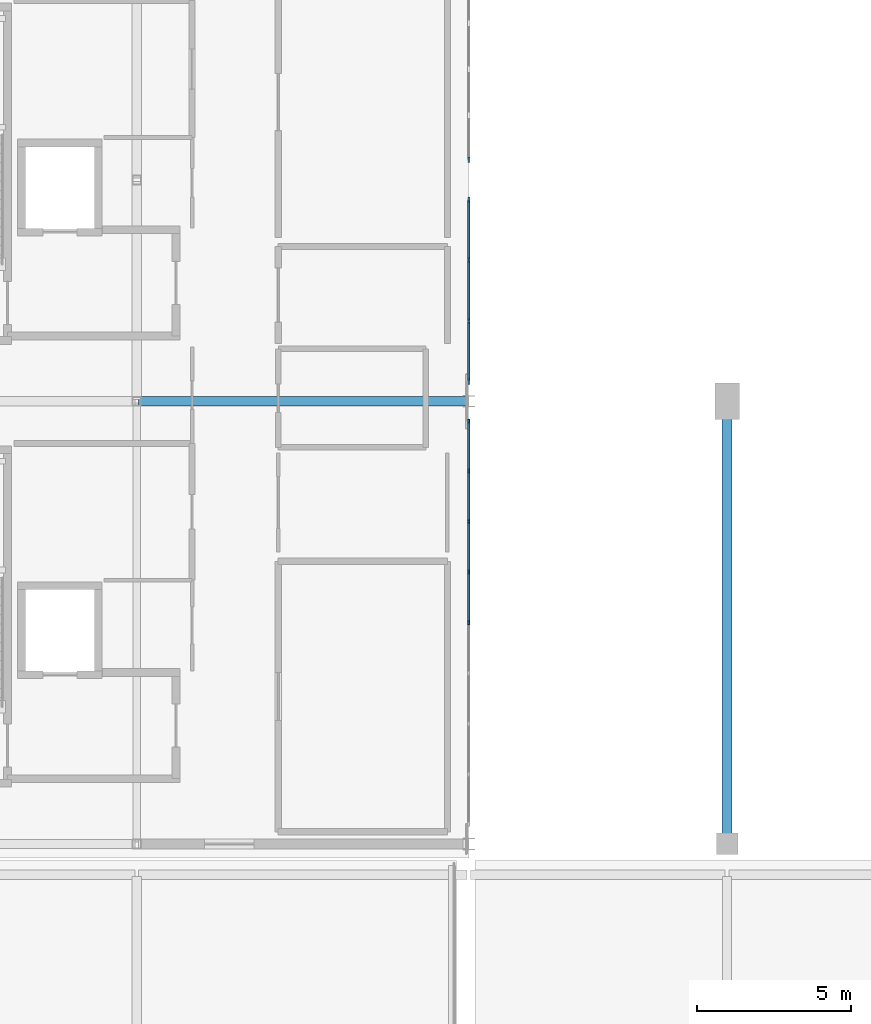
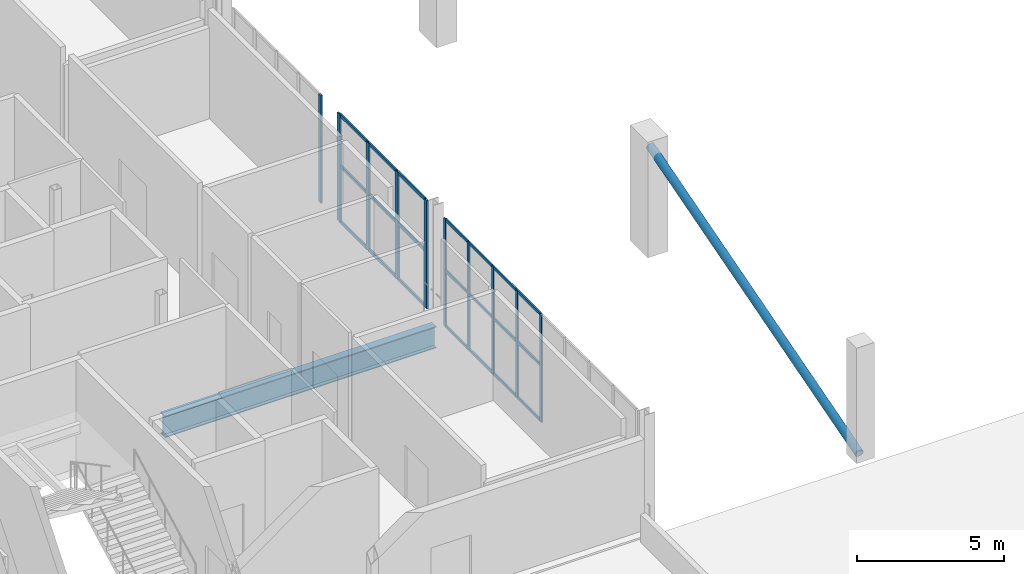
# One storey, part 9 of 51: 32 members, 1 beam, 3 elements without a shape of their own.
"""IFC4 building model written with IfcOpenShell, lengths in metres."""

from ifc_helpers import new_model, si_unit, direction, frame, origin, origin_2d, place, context, subcontext, project, spatial, rectangle, hollow_circle, i_section, extrude, material, material_profile, profile_set, type_object, element, aggregate, save


model = new_model("IFC4")

# Units and contexts
model_context = context("Model", 3, precision=1e-05, world=origin(), true_north=direction((0.0, 1.0)))
body_context = subcontext(model_context, "Body", "Model", "MODEL_VIEW")
ifc_project = project(units=[si_unit("LENGTHUNIT", "METRE"), si_unit("AREAUNIT", "SQUARE_METRE"), si_unit("VOLUMEUNIT", "CUBIC_METRE"), si_unit("PLANEANGLEUNIT", "RADIAN"), si_unit("MASSUNIT", "GRAM", prefix="KILO")], contexts=[model_context])

# Site, building, storey
site_placement = place(None, origin())
site = spatial("IfcSite", under=ifc_project, at=site_placement, CompositionType="ELEMENT")
building_placement = place(site_placement, origin())
building = spatial("IfcBuilding", under=site, at=building_placement, Name="Koshinbarg Plaza Stadium", CompositionType="ELEMENT")
storey_placement = place(building_placement, frame((0.0, 0.0, 24.60009765625)))
storey = spatial("IfcBuildingStorey", under=building, at=storey_placement, Name="L05", CompositionType="ELEMENT", Elevation=24.60009765625)

# Beam
ifc_material_1 = material(Name="Steel S355", Category="steel")
ifc_material_profile_1 = material_profile(ifc_material_1, i_section(OverallWidth=0.300048828125, OverallDepth=0.89990234375, WebThickness=0.0185546875, FlangeThickness=0.034912109375, at=origin_2d()), Name="HEB 900")
ifc_profile_set_1 = profile_set([ifc_material_profile_1], Name="Steel S355")
beam_type = type_object("IfcBeamType", Name="BM-SGIR-05", PredefinedType="USERDEFINED", material=ifc_profile_set_1)
beam_placement = place(storey_placement, frame((35.4599609375, 39.89990234375, -0.75), z_axis=(1.0, 0.0, 0.0), x_axis=(0.0, 1.0, 0.0)))
element("IfcBeam", 1, at=beam_placement, inside=storey, type_object=beam_type, Name="L05 X girder F/6-7", ObjectType="GIRDER", PredefinedType="USERDEFINED", context=body_context, shape_type="SweptSolid", body=[
    extrude(i_section(OverallWidth=0.300048828125, OverallDepth=0.89990234375, WebThickness=0.0185546875, FlangeThickness=0.034912109375, at=origin_2d()), origin(), (0.0, 0.0, 1.0), 10.679931640625),
])

# Curtain wall, members
ifc_material_2 = material(Name="Thermally broken anodised aluminium and low-E double glazing", Category="aluminium")
curtain_wall_type_1 = type_object("IfcCurtainWallType", Name="CW-SYS-13", PredefinedType="NOTDEFINED", material=ifc_material_2)
curtain_wall_1_placement = place(storey_placement, origin())
curtain_wall_1 = element("IfcCurtainWall", 2, at=curtain_wall_1_placement, inside=storey, type_object=curtain_wall_type_1, Name="L05 unitised curtain wall CW-L05-140", PredefinedType="NOTDEFINED")
ifc_material_3 = material(Name="Anodised aluminium mullion", Category="aluminium")
ifc_material_profile_2 = material_profile(ifc_material_3, rectangle(XDim=0.06005859375, YDim=0.139892578125, at=origin_2d()), Name="ALU 60x140")
ifc_profile_set_2 = profile_set([ifc_material_profile_2], Name="Anodised aluminium mullion")
member_type_1 = type_object("IfcMemberType", Name="CW-MUL-01", PredefinedType="MULLION", material=ifc_profile_set_2)
member_1_placement = place(storey_placement, frame((46.199951171875, 39.25, 0.0), z_axis=(0.0, 0.0, 1.0), x_axis=(1.0, 0.0, 0.0)))
member_1 = element("IfcMember", 3, at=member_1_placement, type_object=member_type_1, Name="CW13 mullion 1", PredefinedType="MULLION", context=body_context, shape_type="SweptSolid", body=[
    extrude(rectangle(XDim=0.06005859375, YDim=0.139892578125, at=origin_2d()), origin(), (0.0, 0.0, 1.0), 4.47998046875),
])
member_2_placement = place(storey_placement, frame((46.199951171875, 37.635009765625, 0.0), z_axis=(0.0, 0.0, 1.0), x_axis=(1.0, 0.0, 0.0)))
member_2 = element("IfcMember", 4, at=member_2_placement, type_object=member_type_1, Name="CW13 mullion 2", PredefinedType="MULLION", context=body_context, shape_type="SweptSolid", body=[
    extrude(rectangle(XDim=0.06005859375, YDim=0.139892578125, at=origin_2d()), origin(), (0.0, 0.0, 1.0), 4.47998046875),
])
member_3_placement = place(storey_placement, frame((46.199951171875, 35.989990234375, 0.0), z_axis=(0.0, 0.0, 1.0), x_axis=(1.0, 0.0, 0.0)))
member_3 = element("IfcMember", 5, at=member_3_placement, type_object=member_type_1, Name="CW13 mullion 3", PredefinedType="MULLION", context=body_context, shape_type="SweptSolid", body=[
    extrude(rectangle(XDim=0.06005859375, YDim=0.139892578125, at=origin_2d()), origin(), (0.0, 0.0, 1.0), 4.47998046875),
])
member_4_placement = place(storey_placement, frame((46.199951171875, 34.344970703125, 0.0), z_axis=(0.0, 0.0, 1.0), x_axis=(1.0, 0.0, 0.0)))
member_4 = element("IfcMember", 6, at=member_4_placement, type_object=member_type_1, Name="CW13 mullion 4", PredefinedType="MULLION", context=body_context, shape_type="SweptSolid", body=[
    extrude(rectangle(XDim=0.06005859375, YDim=0.139892578125, at=origin_2d()), origin(), (0.0, 0.0, 1.0), 4.47998046875),
])
member_5_placement = place(storey_placement, frame((46.199951171875, 32.699951171875, 0.0), z_axis=(0.0, 0.0, 1.0), x_axis=(1.0, 0.0, 0.0)))
member_5 = element("IfcMember", 7, at=member_5_placement, type_object=member_type_1, Name="CW13 mullion 5", PredefinedType="MULLION", context=body_context, shape_type="SweptSolid", body=[
    extrude(rectangle(XDim=0.06005859375, YDim=0.139892578125, at=origin_2d()), origin(), (0.0, 0.0, 1.0), 4.47998046875),
])

# Curtain wall, member
curtain_wall_type_2 = type_object("IfcCurtainWallType", Name="CW-SYS-11", PredefinedType="NOTDEFINED", material=ifc_material_2)
curtain_wall_2_placement = place(storey_placement, origin())
curtain_wall_2 = element("IfcCurtainWall", 8, at=curtain_wall_2_placement, inside=storey, type_object=curtain_wall_type_2, Name="L05 unitised curtain wall CW-L05-138", PredefinedType="NOTDEFINED")
ifc_material_profile_3 = material_profile(ifc_material_3, rectangle(XDim=0.070068359375, YDim=0.179931640625, at=origin_2d()), Name="ALU 70x180")
ifc_profile_set_3 = profile_set([ifc_material_profile_3], Name="Anodised aluminium mullion")
member_type_2 = type_object("IfcMemberType", Name="CW-MUL-03", PredefinedType="MULLION", material=ifc_profile_set_3)
member_6_placement = place(storey_placement, frame((46.199951171875, 47.75, 0.0), z_axis=(0.0, 0.0, 1.0), x_axis=(1.0, 0.0, 0.0)))
member_6 = element("IfcMember", 9, at=member_6_placement, type_object=member_type_2, Name="CW11 mullion 5", PredefinedType="MULLION", context=body_context, shape_type="SweptSolid", body=[
    extrude(rectangle(XDim=0.070068359375, YDim=0.179931640625, at=origin_2d()), origin(), (0.0, 0.0, 1.0), 4.47998046875),
])
aggregate(curtain_wall_2, [member_6])

# Curtain wall, members
curtain_wall_type_3 = type_object("IfcCurtainWallType", Name="CW-SYS-12", PredefinedType="NOTDEFINED", material=ifc_material_2)
curtain_wall_3_placement = place(storey_placement, origin())
curtain_wall_3 = element("IfcCurtainWall", 10, at=curtain_wall_3_placement, inside=storey, type_object=curtain_wall_type_3, Name="L05 unitised curtain wall CW-L05-139", PredefinedType="NOTDEFINED")
ifc_material_profile_4 = material_profile(ifc_material_3, rectangle(XDim=0.070068359375, YDim=0.199951171875, at=origin_2d()), Name="ALU 70x200")
ifc_profile_set_4 = profile_set([ifc_material_profile_4], Name="Anodised aluminium mullion")
member_type_3 = type_object("IfcMemberType", Name="CW-MUL-04", PredefinedType="MULLION", material=ifc_profile_set_4)
member_7_placement = place(storey_placement, frame((46.199951171875, 46.449951171875, 0.0), z_axis=(0.0, 0.0, 1.0), x_axis=(1.0, 0.0, 0.0)))
member_7 = element("IfcMember", 11, at=member_7_placement, type_object=member_type_3, Name="CW12 mullion 1", PredefinedType="MULLION", context=body_context, shape_type="SweptSolid", body=[
    extrude(rectangle(XDim=0.070068359375, YDim=0.199951171875, at=origin_2d()), origin(), (0.0, 0.0, 1.0), 4.47998046875),
])
member_8_placement = place(storey_placement, frame((46.199951171875, 44.493408203125, 0.0), z_axis=(0.0, 0.0, 1.0), x_axis=(1.0, 0.0, 0.0)))
member_8 = element("IfcMember", 12, at=member_8_placement, type_object=member_type_3, Name="CW12 mullion 2", PredefinedType="MULLION", context=body_context, shape_type="SweptSolid", body=[
    extrude(rectangle(XDim=0.070068359375, YDim=0.199951171875, at=origin_2d()), origin(), (0.0, 0.0, 1.0), 4.47998046875),
])
member_9_placement = place(storey_placement, frame((46.199951171875, 42.506591796875, 0.0), z_axis=(0.0, 0.0, 1.0), x_axis=(1.0, 0.0, 0.0)))
member_9 = element("IfcMember", 13, at=member_9_placement, type_object=member_type_3, Name="CW12 mullion 3", PredefinedType="MULLION", context=body_context, shape_type="SweptSolid", body=[
    extrude(rectangle(XDim=0.070068359375, YDim=0.199951171875, at=origin_2d()), origin(), (0.0, 0.0, 1.0), 4.47998046875),
])
member_10_placement = place(storey_placement, frame((46.199951171875, 40.550048828125, 0.0), z_axis=(0.0, 0.0, 1.0), x_axis=(1.0, 0.0, 0.0)))
member_10 = element("IfcMember", 14, at=member_10_placement, type_object=member_type_3, Name="CW12 mullion 4", PredefinedType="MULLION", context=body_context, shape_type="SweptSolid", body=[
    extrude(rectangle(XDim=0.070068359375, YDim=0.199951171875, at=origin_2d()), origin(), (0.0, 0.0, 1.0), 4.47998046875),
])

# Member
ifc_material_4 = material(Name="Anodised aluminium transom", Category="aluminium")
ifc_material_profile_5 = material_profile(ifc_material_4, rectangle(XDim=0.06005859375, YDim=0.110107421875, at=origin_2d()), Name="ALU 60x110")
ifc_profile_set_5 = profile_set([ifc_material_profile_5], Name="Anodised aluminium transom")
member_type_4 = type_object("IfcMemberType", Name="CW-TRN-01", PredefinedType="USERDEFINED", material=ifc_profile_set_5)
member_11_placement = place(storey_placement, frame((46.199951171875, 39.219970703125, 0.02978515625), z_axis=(0.0, -1.0, 0.0), x_axis=(1.0, 0.0, 0.0)))
member_11 = element("IfcMember", 15, at=member_11_placement, type_object=member_type_4, Name="CW13 transom 1.1", ObjectType="TRANSOM", PredefinedType="USERDEFINED", context=body_context, shape_type="SweptSolid", body=[
    extrude(rectangle(XDim=0.06005859375, YDim=0.110107421875, at=origin_2d()), origin(), (0.0, 0.0, 1.0), 1.554931640625),
])

member_12_placement = place(storey_placement, frame((46.199951171875, 39.219970703125, 2.32958984375), z_axis=(0.0, -1.0, 0.0), x_axis=(1.0, 0.0, 0.0)))
member_12 = element("IfcMember", 16, at=member_12_placement, type_object=member_type_4, Name="CW13 transom 1.2", ObjectType="TRANSOM", PredefinedType="USERDEFINED", context=body_context, shape_type="SweptSolid", body=[
    extrude(rectangle(XDim=0.06005859375, YDim=0.110107421875, at=origin_2d()), origin(), (0.0, 0.0, 1.0), 1.554931640625),
])

member_13_placement = place(storey_placement, frame((46.199951171875, 39.219970703125, 4.449951171875), z_axis=(0.0, -1.0, 0.0), x_axis=(1.0, 0.0, 0.0)))
member_13 = element("IfcMember", 17, at=member_13_placement, type_object=member_type_4, Name="CW13 transom 1.3", ObjectType="TRANSOM", PredefinedType="USERDEFINED", context=body_context, shape_type="SweptSolid", body=[
    extrude(rectangle(XDim=0.06005859375, YDim=0.110107421875, at=origin_2d()), origin(), (0.0, 0.0, 1.0), 1.554931640625),
])

member_14_placement = place(storey_placement, frame((46.199951171875, 37.60498046875, 0.02978515625), z_axis=(0.0, -1.0, 0.0), x_axis=(1.0, 0.0, 0.0)))
member_14 = element("IfcMember", 18, at=member_14_placement, type_object=member_type_4, Name="CW13 transom 2.1", ObjectType="TRANSOM", PredefinedType="USERDEFINED", context=body_context, shape_type="SweptSolid", body=[
    extrude(rectangle(XDim=0.06005859375, YDim=0.110107421875, at=origin_2d()), origin(), (0.0, 0.0, 1.0), 1.5849609375),
])

member_15_placement = place(storey_placement, frame((46.199951171875, 37.60498046875, 2.32958984375), z_axis=(0.0, -1.0, 0.0), x_axis=(1.0, 0.0, 0.0)))
member_15 = element("IfcMember", 19, at=member_15_placement, type_object=member_type_4, Name="CW13 transom 2.2", ObjectType="TRANSOM", PredefinedType="USERDEFINED", context=body_context, shape_type="SweptSolid", body=[
    extrude(rectangle(XDim=0.06005859375, YDim=0.110107421875, at=origin_2d()), origin(), (0.0, 0.0, 1.0), 1.5849609375),
])

member_16_placement = place(storey_placement, frame((46.199951171875, 37.60498046875, 4.449951171875), z_axis=(0.0, -1.0, 0.0), x_axis=(1.0, 0.0, 0.0)))
member_16 = element("IfcMember", 20, at=member_16_placement, type_object=member_type_4, Name="CW13 transom 2.3", ObjectType="TRANSOM", PredefinedType="USERDEFINED", context=body_context, shape_type="SweptSolid", body=[
    extrude(rectangle(XDim=0.06005859375, YDim=0.110107421875, at=origin_2d()), origin(), (0.0, 0.0, 1.0), 1.5849609375),
])

member_17_placement = place(storey_placement, frame((46.199951171875, 35.9599609375, 0.02978515625), z_axis=(0.0, -1.0, 0.0), x_axis=(1.0, 0.0, 0.0)))
member_17 = element("IfcMember", 21, at=member_17_placement, type_object=member_type_4, Name="CW13 transom 3.1", ObjectType="TRANSOM", PredefinedType="USERDEFINED", context=body_context, shape_type="SweptSolid", body=[
    extrude(rectangle(XDim=0.06005859375, YDim=0.110107421875, at=origin_2d()), origin(), (0.0, 0.0, 1.0), 1.5849609375),
])

member_18_placement = place(storey_placement, frame((46.199951171875, 35.9599609375, 2.32958984375), z_axis=(0.0, -1.0, 0.0), x_axis=(1.0, 0.0, 0.0)))
member_18 = element("IfcMember", 22, at=member_18_placement, type_object=member_type_4, Name="CW13 transom 3.2", ObjectType="TRANSOM", PredefinedType="USERDEFINED", context=body_context, shape_type="SweptSolid", body=[
    extrude(rectangle(XDim=0.06005859375, YDim=0.110107421875, at=origin_2d()), origin(), (0.0, 0.0, 1.0), 1.5849609375),
])

member_19_placement = place(storey_placement, frame((46.199951171875, 35.9599609375, 4.449951171875), z_axis=(0.0, -1.0, 0.0), x_axis=(1.0, 0.0, 0.0)))
member_19 = element("IfcMember", 23, at=member_19_placement, type_object=member_type_4, Name="CW13 transom 3.3", ObjectType="TRANSOM", PredefinedType="USERDEFINED", context=body_context, shape_type="SweptSolid", body=[
    extrude(rectangle(XDim=0.06005859375, YDim=0.110107421875, at=origin_2d()), origin(), (0.0, 0.0, 1.0), 1.5849609375),
])

member_20_placement = place(storey_placement, frame((46.199951171875, 34.31494140625, 0.02978515625), z_axis=(0.0, -1.0, 0.0), x_axis=(1.0, 0.0, 0.0)))
member_20 = element("IfcMember", 24, at=member_20_placement, type_object=member_type_4, Name="CW13 transom 4.1", ObjectType="TRANSOM", PredefinedType="USERDEFINED", context=body_context, shape_type="SweptSolid", body=[
    extrude(rectangle(XDim=0.06005859375, YDim=0.110107421875, at=origin_2d()), origin(), (0.0, 0.0, 1.0), 1.5849609375),
])

member_21_placement = place(storey_placement, frame((46.199951171875, 34.31494140625, 2.32958984375), z_axis=(0.0, -1.0, 0.0), x_axis=(1.0, 0.0, 0.0)))
member_21 = element("IfcMember", 25, at=member_21_placement, type_object=member_type_4, Name="CW13 transom 4.2", ObjectType="TRANSOM", PredefinedType="USERDEFINED", context=body_context, shape_type="SweptSolid", body=[
    extrude(rectangle(XDim=0.06005859375, YDim=0.110107421875, at=origin_2d()), origin(), (0.0, 0.0, 1.0), 1.5849609375),
])

member_22_placement = place(storey_placement, frame((46.199951171875, 34.31494140625, 4.449951171875), z_axis=(0.0, -1.0, 0.0), x_axis=(1.0, 0.0, 0.0)))
member_22 = element("IfcMember", 26, at=member_22_placement, type_object=member_type_4, Name="CW13 transom 4.3", ObjectType="TRANSOM", PredefinedType="USERDEFINED", context=body_context, shape_type="SweptSolid", body=[
    extrude(rectangle(XDim=0.06005859375, YDim=0.110107421875, at=origin_2d()), origin(), (0.0, 0.0, 1.0), 1.5849609375),
])

aggregate(curtain_wall_1, [member_1, member_2, member_3, member_4, member_5, member_11, member_12, member_13, member_14, member_15, member_16, member_17, member_18, member_19, member_20, member_21, member_22])

ifc_material_profile_6 = material_profile(ifc_material_4, rectangle(XDim=0.06005859375, YDim=0.1298828125, at=origin_2d()), Name="ALU 60x130")
ifc_profile_set_6 = profile_set([ifc_material_profile_6], Name="Anodised aluminium transom")
member_type_5 = type_object("IfcMemberType", Name="CW-TRN-02", PredefinedType="USERDEFINED", material=ifc_profile_set_6)
member_23_placement = place(storey_placement, frame((46.199951171875, 46.419921875, 0.02978515625), z_axis=(0.0, -1.0, 0.0), x_axis=(1.0, 0.0, 0.0)))
member_23 = element("IfcMember", 27, at=member_23_placement, type_object=member_type_5, Name="CW12 transom 1.1", ObjectType="TRANSOM", PredefinedType="USERDEFINED", context=body_context, shape_type="SweptSolid", body=[
    extrude(rectangle(XDim=0.06005859375, YDim=0.1298828125, at=origin_2d()), origin(), (0.0, 0.0, 1.0), 1.896484375),
])

member_24_placement = place(storey_placement, frame((46.199951171875, 46.419921875, 2.32958984375), z_axis=(0.0, -1.0, 0.0), x_axis=(1.0, 0.0, 0.0)))
member_24 = element("IfcMember", 28, at=member_24_placement, type_object=member_type_5, Name="CW12 transom 1.2", ObjectType="TRANSOM", PredefinedType="USERDEFINED", context=body_context, shape_type="SweptSolid", body=[
    extrude(rectangle(XDim=0.06005859375, YDim=0.1298828125, at=origin_2d()), origin(), (0.0, 0.0, 1.0), 1.896484375),
])

member_25_placement = place(storey_placement, frame((46.199951171875, 46.419921875, 4.449951171875), z_axis=(0.0, -1.0, 0.0), x_axis=(1.0, 0.0, 0.0)))
member_25 = element("IfcMember", 29, at=member_25_placement, type_object=member_type_5, Name="CW12 transom 1.3", ObjectType="TRANSOM", PredefinedType="USERDEFINED", context=body_context, shape_type="SweptSolid", body=[
    extrude(rectangle(XDim=0.06005859375, YDim=0.1298828125, at=origin_2d()), origin(), (0.0, 0.0, 1.0), 1.896484375),
])

member_26_placement = place(storey_placement, frame((46.199951171875, 44.46337890625, 0.02978515625), z_axis=(0.0, -1.0, 0.0), x_axis=(1.0, 0.0, 0.0)))
member_26 = element("IfcMember", 30, at=member_26_placement, type_object=member_type_5, Name="CW12 transom 2.1", ObjectType="TRANSOM", PredefinedType="USERDEFINED", context=body_context, shape_type="SweptSolid", body=[
    extrude(rectangle(XDim=0.06005859375, YDim=0.1298828125, at=origin_2d()), origin(), (0.0, 0.0, 1.0), 1.9267578125),
])

member_27_placement = place(storey_placement, frame((46.199951171875, 44.46337890625, 2.32958984375), z_axis=(0.0, -1.0, 0.0), x_axis=(1.0, 0.0, 0.0)))
member_27 = element("IfcMember", 31, at=member_27_placement, type_object=member_type_5, Name="CW12 transom 2.2", ObjectType="TRANSOM", PredefinedType="USERDEFINED", context=body_context, shape_type="SweptSolid", body=[
    extrude(rectangle(XDim=0.06005859375, YDim=0.1298828125, at=origin_2d()), origin(), (0.0, 0.0, 1.0), 1.9267578125),
])

member_28_placement = place(storey_placement, frame((46.199951171875, 44.46337890625, 4.449951171875), z_axis=(0.0, -1.0, 0.0), x_axis=(1.0, 0.0, 0.0)))
member_28 = element("IfcMember", 32, at=member_28_placement, type_object=member_type_5, Name="CW12 transom 2.3", ObjectType="TRANSOM", PredefinedType="USERDEFINED", context=body_context, shape_type="SweptSolid", body=[
    extrude(rectangle(XDim=0.06005859375, YDim=0.1298828125, at=origin_2d()), origin(), (0.0, 0.0, 1.0), 1.9267578125),
])

member_29_placement = place(storey_placement, frame((46.199951171875, 42.4765625, 0.02978515625), z_axis=(0.0, -1.0, 0.0), x_axis=(1.0, 0.0, 0.0)))
member_29 = element("IfcMember", 33, at=member_29_placement, type_object=member_type_5, Name="CW12 transom 3.1", ObjectType="TRANSOM", PredefinedType="USERDEFINED", context=body_context, shape_type="SweptSolid", body=[
    extrude(rectangle(XDim=0.06005859375, YDim=0.1298828125, at=origin_2d()), origin(), (0.0, 0.0, 1.0), 1.896484375),
])

member_30_placement = place(storey_placement, frame((46.199951171875, 42.4765625, 2.32958984375), z_axis=(0.0, -1.0, 0.0), x_axis=(1.0, 0.0, 0.0)))
member_30 = element("IfcMember", 34, at=member_30_placement, type_object=member_type_5, Name="CW12 transom 3.2", ObjectType="TRANSOM", PredefinedType="USERDEFINED", context=body_context, shape_type="SweptSolid", body=[
    extrude(rectangle(XDim=0.06005859375, YDim=0.1298828125, at=origin_2d()), origin(), (0.0, 0.0, 1.0), 1.896484375),
])

member_31_placement = place(storey_placement, frame((46.199951171875, 42.4765625, 4.449951171875), z_axis=(0.0, -1.0, 0.0), x_axis=(1.0, 0.0, 0.0)))
member_31 = element("IfcMember", 35, at=member_31_placement, type_object=member_type_5, Name="CW12 transom 3.3", ObjectType="TRANSOM", PredefinedType="USERDEFINED", context=body_context, shape_type="SweptSolid", body=[
    extrude(rectangle(XDim=0.06005859375, YDim=0.1298828125, at=origin_2d()), origin(), (0.0, 0.0, 1.0), 1.896484375),
])

aggregate(curtain_wall_3, [member_7, member_8, member_9, member_10, member_23, member_24, member_25, member_26, member_27, member_28, member_29, member_30, member_31])

ifc_material_profile_7 = material_profile(ifc_material_1, hollow_circle(Radius=0.161865234375, WallThickness=0.01416015625, at=origin_2d()), Name="CHS 323.9x14.2")
ifc_profile_set_7 = profile_set([ifc_material_profile_7], Name="Steel S355")
member_type_6 = type_object("IfcMemberType", Name="MB-BRACE-01", PredefinedType="BRACE", material=ifc_profile_set_7)
member_32_placement = place(storey_placement, frame((54.60009765625, 25.580078125, 0.0498046875), z_axis=(0.0, 0.960057681506, 0.279802158999), x_axis=(-1.0, 0.0, 0.0)))
element("IfcMember", 36, at=member_32_placement, inside=storey, type_object=member_type_6, Name="L05 lateral frame brace 21", PredefinedType="BRACE", context=body_context, shape_type="SweptSolid", body=[
    extrude(hollow_circle(Radius=0.161865234375, WallThickness=0.01416015625, at=origin_2d()), origin(), (0.0, 0.0, 1.0), 14.83251953125),
])

save(model, "model.ifc")
